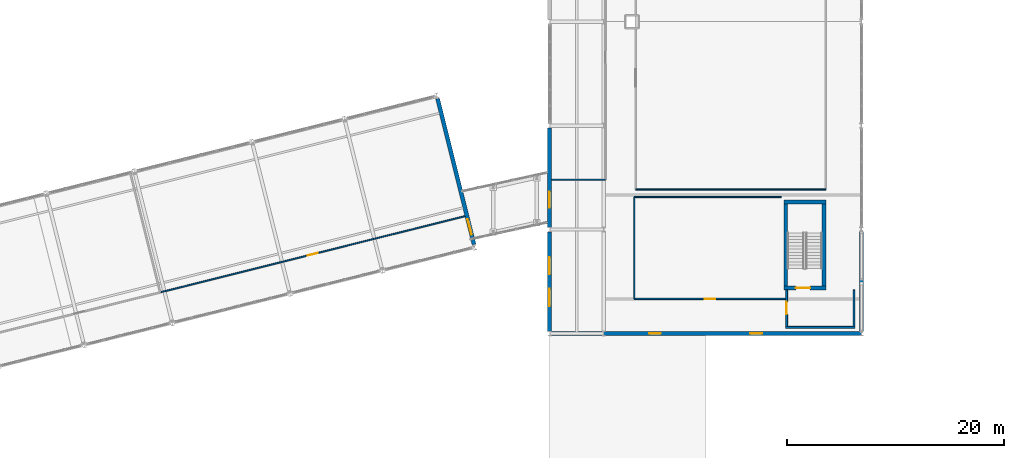
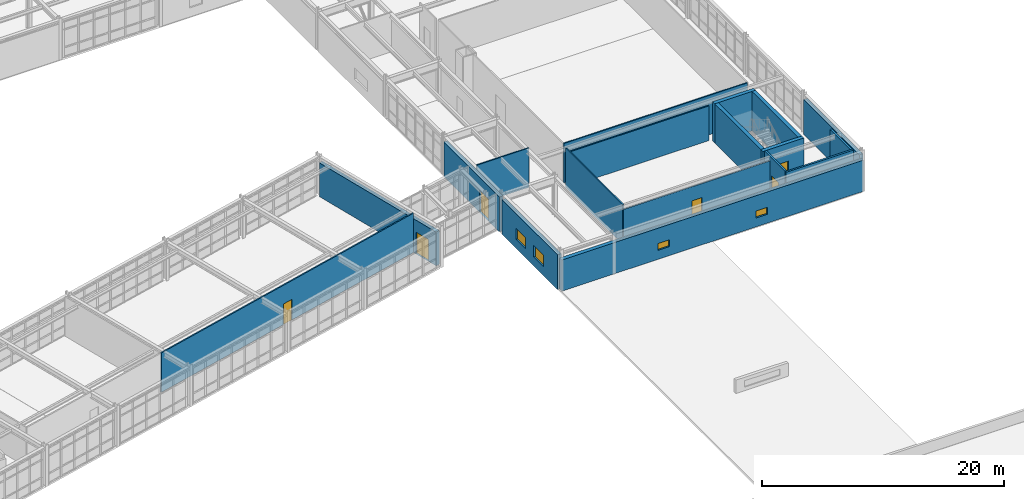
# One storey, part 72 of 88: 18 walls, 6 doors, 4 windows, 10 openings.
"""IFC4 building model written with IfcOpenShell, lengths in metres."""

from ifc_helpers import new_model, si_unit, direction, frame, frame_2d, origin, place, context, subcontext, project, spatial, rectangle, extrude, material, layer, layer_set, type_object, element, fill, save


model = new_model("IFC4")

# Units and contexts
model_context = context("Model", 3, precision=1e-05, world=origin(), true_north=direction((0.0, 1.0)))
body_context = subcontext(model_context, "Body", "Model", "MODEL_VIEW")
ifc_project = project(units=[si_unit("LENGTHUNIT", "METRE"), si_unit("AREAUNIT", "SQUARE_METRE"), si_unit("VOLUMEUNIT", "CUBIC_METRE"), si_unit("PLANEANGLEUNIT", "RADIAN"), si_unit("MASSUNIT", "GRAM", prefix="KILO")], contexts=[model_context])

# Site, building, storey
site_placement = place(None, origin())
site = spatial("IfcSite", under=ifc_project, at=site_placement, CompositionType="ELEMENT")
building_placement = place(site_placement, origin())
building = spatial("IfcBuilding", under=site, at=building_placement, Name="Nordkorset Police Headquarters", CompositionType="ELEMENT")
storey_placement = place(building_placement, frame((0.0, 0.0, 9.449951171875)))
storey = spatial("IfcBuildingStorey", under=building, at=storey_placement, Name="L02", CompositionType="ELEMENT", Elevation=9.449951171875)

# Wall
ifc_material_1 = material(Name="Gypsum board", Category="gypsum")
ifc_layer_1 = layer(ifc_material_1, 0.179931640625, Name="Gypsum board")
ifc_layer_set_1 = layer_set([ifc_layer_1], Name="Gypsum board")
wall_type_1 = type_object("IfcWallType", Name="Wall_Comp_180", PredefinedType="PARTITIONING", material=ifc_layer_set_1)
wall_1_placement = place(storey_placement, frame((108.199951171875, 48.56005859375, 0.0), z_axis=(0.0, 0.0, 1.0), x_axis=(1.0, 0.0, 0.0)))
element("IfcWall", 1, at=wall_1_placement, inside=storey, type_object=wall_type_1, Name="Firefighting Lobby EI 60 Wall K8 L02 S", PredefinedType="PARTITIONING", context=body_context, shape_type="SweptSolid", body=[
    extrude(rectangle(XDim=6.400146484375, YDim=0.179931640625, at=frame_2d((3.2001953125, 0.0))), origin(), (0.0, 0.0, 1.0), 3.969970703125),
])

# Wall, opening, door
wall_2_placement = place(storey_placement, frame((108.2900390625, 48.64990234375, 0.0), z_axis=(0.0, 0.0, 1.0), x_axis=(0.0, 1.0, 0.0)))
wall_2 = element("IfcWall", 2, at=wall_2_placement, inside=storey, type_object=wall_type_1, Name="Firefighting Lobby EI 60 Wall K8 L02 W", PredefinedType="PARTITIONING", context=body_context, shape_type="SweptSolid", body=[
    extrude(rectangle(XDim=3.375, YDim=0.179931640625, at=frame_2d((1.6875, 0.0))), origin(), (0.0, 0.0, 1.0), 3.969970703125),
])
opening_1_placement = place(wall_2_placement, frame((1.112548828125, 0.0, 0.0)))
opening_1 = element("IfcOpeningElement", 3, at=opening_1_placement, cuts=wall_2, Name="Opening DR-01", PredefinedType="OPENING", context=body_context, shape_type="SweptSolid", body=[
    extrude(rectangle(XDim=1.14990234375, YDim=2.14990234375, at=frame_2d((0.574951171875, 1.074951171875))), frame((0.0, 0.10009765625, 0.0), z_axis=(0.0, -1.0, 0.0), x_axis=(1.0, 0.0, 0.0)), (0.0, 0.0, 1.0), 0.199951171875),
])
ifc_material_2 = material(Name="Steel S355J2", Category="steel")
door_type_1 = type_object("IfcDoorType", Name="Door_LobbySingle_1150x2150", OperationType="NOTDEFINED", PredefinedType="DOOR", material=ifc_material_2)
door_1_placement = place(opening_1_placement, origin())
door_1 = element("IfcDoor", 4, at=door_1_placement, inside=storey, type_object=door_type_1, Name="Firefighting Lobby Smoke Door K8 L02 W", OperationType="SINGLE_SWING_RIGHT", OverallHeight=2.14990234375, OverallWidth=1.14990234375, PredefinedType="DOOR", context=body_context, shape_type="SweptSolid", body=[
    extrude(rectangle(XDim=1.14990234375, YDim=2.14990234375, at=frame_2d((0.574951171875, 1.074951171875))), frame((0.0, 0.02490234375, 0.0), z_axis=(0.0, -1.0, 0.0), x_axis=(1.0, 0.0, 0.0)), (0.0, 0.0, 1.0), 0.050048828125),
])
fill(opening_1, door_1)

# Wall
wall_3_placement = place(storey_placement, frame((114.510009765625, 48.64990234375, 0.0), z_axis=(0.0, 0.0, 1.0), x_axis=(0.0, 1.0, 0.0)))
element("IfcWall", 5, at=wall_3_placement, inside=storey, type_object=wall_type_1, Name="Firefighting Lobby EI 60 Wall K8 L02 E", PredefinedType="PARTITIONING", context=body_context, shape_type="SweptSolid", body=[
    extrude(rectangle(XDim=3.375, YDim=0.179931640625, at=frame_2d((1.6875, 0.0))), origin(), (0.0, 0.0, 1.0), 3.969970703125),
])

# Wall, opening, door
ifc_material_3 = material(Name="Concrete C35/45", Category="concrete")
ifc_layer_2 = layer(ifc_material_3, 0.35009765625, Name="Concrete C35/45")
ifc_layer_set_2 = layer_set([ifc_layer_2], Name="Concrete C35/45")
wall_type_2 = type_object("IfcWallType", Name="Wall_CoreShear_350", PredefinedType="SHEAR", material=ifc_layer_set_2)
wall_4_placement = place(storey_placement, frame((108.02490234375, 52.199951171875, 0.0), z_axis=(0.0, 0.0, 1.0), x_axis=(1.0, 0.0, 0.0)))
wall_4 = element("IfcWall", 6, at=wall_4_placement, inside=storey, type_object=wall_type_2, Name="Core K8 Stair Shaft South Shear Wall L02", PredefinedType="SHEAR", context=body_context, shape_type="SweptSolid", body=[
    extrude(rectangle(XDim=3.900146484375, YDim=0.35009765625, at=frame_2d((1.9501953125, 0.0))), origin(), (0.0, 0.0, 1.0), 3.969970703125),
])
opening_2_placement = place(wall_4_placement, frame((1.125, 0.0, 0.0)))
opening_2 = element("IfcOpeningElement", 7, at=opening_2_placement, cuts=wall_4, Name="Opening DR-20", PredefinedType="OPENING", context=body_context, shape_type="SweptSolid", body=[
    extrude(rectangle(XDim=1.300048828125, YDim=2.14990234375, at=frame_2d((0.64990234375, 1.074951171875))), frame((0.0, 0.18505859375, 0.0), z_axis=(0.0, -1.0, 0.0), x_axis=(1.0, 0.0, 0.0)), (0.0, 0.0, 1.0), 0.3701171875),
])
ifc_material_4 = material(Name="Steel S355J2", Category="steel")
door_type_2 = type_object("IfcDoorType", Name="Door_Stair_1300x2150", OperationType="NOTDEFINED", PredefinedType="DOOR", material=ifc_material_4)
door_2_placement = place(opening_2_placement, frame((1.300048828125, 0.0, 0.0), z_axis=(0.0, 0.0, 1.0), x_axis=(-1.0, 0.0, 0.0)))
door_2 = element("IfcDoor", 8, at=door_2_placement, inside=storey, type_object=door_type_2, Name="Protected Stair Fire Door ST-09 L02", OperationType="SINGLE_SWING_LEFT", OverallHeight=2.14990234375, OverallWidth=1.300048828125, PredefinedType="DOOR", context=body_context, shape_type="SweptSolid", body=[
    extrude(rectangle(XDim=1.300048828125, YDim=2.14990234375, at=frame_2d((0.64990234375, 1.074951171875))), frame((0.0, 0.02490234375, 0.0), z_axis=(0.0, -1.0, 0.0), x_axis=(1.0, 0.0, 0.0)), (0.0, 0.0, 1.0), 0.050048828125),
])
fill(opening_2, door_2)

# Walls
wall_5_placement = place(storey_placement, frame((108.02490234375, 60.14990234375, 0.0), z_axis=(0.0, 0.0, 1.0), x_axis=(1.0, 0.0, 0.0)))
element("IfcWall", 9, at=wall_5_placement, inside=storey, type_object=wall_type_2, Name="Core K8 Stair Shaft North Shear Wall L02", PredefinedType="SHEAR", context=body_context, shape_type="SweptSolid", body=[
    extrude(rectangle(XDim=3.900146484375, YDim=0.35009765625, at=frame_2d((1.9501953125, 0.0))), origin(), (0.0, 0.0, 1.0), 3.969970703125),
])
for number, where, z_axis, x_axis, name in (
    (10, (108.199951171875, 52.375, 0.0), (0.0, 0.0, 1.0), (0.0, 1.0, 0.0), "Core K8 Stair Shaft West Shear Wall L02"),
    (11, (111.75, 52.375, 0.0), (0.0, 0.0, 1.0), (0.0, 1.0, 0.0), "Core K8 Stair Shaft East Shear Wall L02"),
):
    element("IfcWall", number, at=place(storey_placement, frame(where, z_axis=z_axis, x_axis=x_axis)), inside=storey, type_object=wall_type_2, Name=name, PredefinedType="SHEAR", context=body_context, shape_type="SweptSolid", body=[
        extrude(rectangle(XDim=7.60009765625, YDim=0.35009765625, at=frame_2d((3.800048828125, 0.0))), origin(), (0.0, 0.0, 1.0), 3.969970703125),
    ])

# Wall, opening, door
ifc_material_5 = material(Name="Precast concrete C40/50", Category="concrete")
ifc_layer_3 = layer(ifc_material_5, 0.360107421875, Name="Precast concrete C40/50")
ifc_layer_set_3 = layer_set([ifc_layer_3], Name="Precast concrete C40/50")
wall_type_3 = type_object("IfcWallType", Name="Wall_ExtPrecast_360", PredefinedType="SOLIDWALL", material=ifc_layer_set_3)
wall_6_placement = place(storey_placement, frame((79.419189453125, 56.214599609375, 0.0), z_axis=(0.0, 0.0, 1.0), x_axis=(-0.242543892923, 0.970140433136, 0.0)))
wall_6 = element("IfcWall", 12, at=wall_6_placement, inside=storey, type_object=wall_type_3, Name="Exterior Insulated Precast Wall L02 V4E-0", PredefinedType="SOLIDWALL", context=body_context, shape_type="SweptSolid", body=[
    extrude(rectangle(XDim=13.89599609375, YDim=0.360107421875, at=frame_2d((6.947998046875, 0.0))), origin(), (0.0, 0.0, 1.0), 3.405029296875),
])
opening_3_placement = place(wall_6_placement, frame((0.91796875, 0.0, 0.0)))
opening_3 = element("IfcOpeningElement", 13, at=opening_3_placement, cuts=wall_6, Name="Opening EXD-03", PredefinedType="OPENING", context=body_context, shape_type="SweptSolid", body=[
    extrude(rectangle(XDim=1.5, YDim=2.199951171875, at=frame_2d((0.75, 1.10009765625))), frame((0.0, 0.18994140625, 0.0), z_axis=(0.0, -1.0, 0.0), x_axis=(1.0, 0.0, 0.0)), (0.0, 0.0, 1.0), 0.380126953125),
])
ifc_material_6 = material(Name="Aluminium alloy AW-6060", Category="aluminium")
door_type_3 = type_object("IfcDoorType", Name="ExtDoor_BridgePortal_1500x2200", OperationType="DOUBLE_DOOR_SINGLE_SWING", PredefinedType="DOOR", material=ifc_material_6)
door_3_placement = place(opening_3_placement, frame((1.5, 0.0, 0.0), z_axis=(0.0, 0.0, 1.0), x_axis=(-1.0, 0.0, 0.0)))
door_3 = element("IfcDoor", 14, at=door_3_placement, inside=storey, type_object=door_type_3, Name="East Link Bridge Portal Door V4 L02", OperationType="SINGLE_SWING_LEFT", OverallHeight=2.199951171875, OverallWidth=1.5, PredefinedType="DOOR", context=body_context, shape_type="SweptSolid", body=[
    extrude(rectangle(XDim=1.5, YDim=2.199951171875, at=frame_2d((0.75, 1.10009765625))), frame((0.0, 0.02490234375, 0.0), z_axis=(0.0, -1.0, 0.0), x_axis=(1.0, 0.0, 0.0)), (0.0, 0.0, 1.0), 0.050048828125),
])
fill(opening_3, door_3)

# Wall
wall_7_placement = place(storey_placement, frame((115.199951171875, 48.201904296875, 0.0), z_axis=(0.0, 0.0, 1.0), x_axis=(0.0, 1.0, 0.0)))
element("IfcWall", 15, at=wall_7_placement, inside=storey, type_object=wall_type_3, Name="Exterior Insulated Precast Wall L02 V5E-0", PredefinedType="SOLIDWALL", context=body_context, shape_type="SweptSolid", body=[
    extrude(rectangle(XDim=9.196044921875, YDim=0.360107421875, at=frame_2d((4.59814453125, 0.0))), origin(), (0.0, 0.0, 1.0), 3.510009765625),
])

# Wall, openings, windows
wall_8_placement = place(storey_placement, frame((86.39990234375, 48.201904296875, 0.0), z_axis=(0.0, 0.0, 1.0), x_axis=(0.0, 1.0, 0.0)))
wall_8 = element("IfcWall", 16, at=wall_8_placement, inside=storey, type_object=wall_type_3, Name="Exterior Insulated Precast Wall L02 V5W-0", PredefinedType="SOLIDWALL", context=body_context, shape_type="SweptSolid", body=[
    extrude(rectangle(XDim=9.196044921875, YDim=0.360107421875, at=frame_2d((4.59814453125, 0.0))), origin(), (0.0, 0.0, 1.0), 3.505126953125),
])
opening_4_placement = place(wall_8_placement, frame((2.331298828125, 0.0, 0.89990234375)))
opening_4 = element("IfcOpeningElement", 17, at=opening_4_placement, cuts=wall_8, Name="Opening WN-17", PredefinedType="OPENING", context=body_context, shape_type="SweptSolid", body=[
    extrude(rectangle(XDim=1.60009765625, YDim=1.14990234375, at=frame_2d((0.800048828125, 0.574951171875))), frame((0.0, 0.18994140625, 0.0), z_axis=(0.0, -1.0, 0.0), x_axis=(1.0, 0.0, 0.0)), (0.0, 0.0, 1.0), 0.380126953125),
])
opening_5_placement = place(wall_8_placement, frame((5.2646484375, 0.0, 0.89990234375)))
opening_5 = element("IfcOpeningElement", 18, at=opening_5_placement, cuts=wall_8, Name="Opening WN-17", PredefinedType="OPENING", context=body_context, shape_type="SweptSolid", body=[
    extrude(rectangle(XDim=1.60009765625, YDim=1.14990234375, at=frame_2d((0.800048828125, 0.574951171875))), frame((0.0, 0.18994140625, 0.0), z_axis=(0.0, -1.0, 0.0), x_axis=(1.0, 0.0, 0.0)), (0.0, 0.0, 1.0), 0.380126953125),
])
ifc_material_7 = material(Name="Low-iron triple glazing", Category="glass")
window_type_1 = type_object("IfcWindowType", Name="Win_1600x1150", PartitioningType="SINGLE_PANEL", PredefinedType="WINDOW", material=ifc_material_7)
window_1_placement = place(opening_4_placement, origin())
window_1 = element("IfcWindow", 19, at=window_1_placement, inside=storey, type_object=window_type_1, Name="Triple-Glazed Exterior Window L02 V5W-0-1", OverallHeight=1.14990234375, OverallWidth=1.60009765625, PartitioningType="SINGLE_PANEL", PredefinedType="WINDOW", context=body_context, shape_type="SweptSolid", body=[
    extrude(rectangle(XDim=1.60009765625, YDim=1.14990234375, at=frame_2d((0.800048828125, 0.574951171875))), frame((0.0, 0.030029296875, 0.0), z_axis=(0.0, -1.0, 0.0), x_axis=(1.0, 0.0, 0.0)), (0.0, 0.0, 1.0), 0.06005859375),
])
fill(opening_4, window_1)
window_2_placement = place(opening_5_placement, origin())
window_2 = element("IfcWindow", 20, at=window_2_placement, inside=storey, type_object=window_type_1, Name="Triple-Glazed Exterior Window L02 V5W-0-2", OverallHeight=1.14990234375, OverallWidth=1.60009765625, PartitioningType="SINGLE_PANEL", PredefinedType="WINDOW", context=body_context, shape_type="SweptSolid", body=[
    extrude(rectangle(XDim=1.60009765625, YDim=1.14990234375, at=frame_2d((0.800048828125, 0.574951171875))), frame((0.0, 0.030029296875, 0.0), z_axis=(0.0, -1.0, 0.0), x_axis=(1.0, 0.0, 0.0)), (0.0, 0.0, 1.0), 0.06005859375),
])
fill(opening_5, window_2)

# Wall, opening, door
wall_9_placement = place(storey_placement, frame((86.39990234375, 57.802001953125, 0.0), z_axis=(0.0, 0.0, 1.0), x_axis=(0.0, 1.0, 0.0)))
wall_9 = element("IfcWall", 21, at=wall_9_placement, inside=storey, type_object=wall_type_3, Name="Exterior Insulated Precast Wall L02 V5W-1", PredefinedType="SOLIDWALL", context=body_context, shape_type="SweptSolid", body=[
    extrude(rectangle(XDim=9.196044921875, YDim=0.360107421875, at=frame_2d((4.59814453125, 0.0))), origin(), (0.0, 0.0, 1.0), 3.505126953125),
])
opening_6_placement = place(wall_9_placement, frame((1.798095703125, 0.0, 0.0)))
opening_6 = element("IfcOpeningElement", 22, at=opening_6_placement, cuts=wall_9, Name="Opening EXD-03", PredefinedType="OPENING", context=body_context, shape_type="SweptSolid", body=[
    extrude(rectangle(XDim=1.5, YDim=2.199951171875, at=frame_2d((0.75, 1.10009765625))), frame((0.0, 0.18994140625, 0.0), z_axis=(0.0, -1.0, 0.0), x_axis=(1.0, 0.0, 0.0)), (0.0, 0.0, 1.0), 0.380126953125),
])
door_4_placement = place(opening_6_placement, origin())
door_4 = element("IfcDoor", 23, at=door_4_placement, inside=storey, type_object=door_type_3, Name="East Link Bridge Portal Door V5 L02", OperationType="SINGLE_SWING_LEFT", OverallHeight=2.199951171875, OverallWidth=1.5, PredefinedType="DOOR", context=body_context, shape_type="SweptSolid", body=[
    extrude(rectangle(XDim=1.5, YDim=2.199951171875, at=frame_2d((0.75, 1.10009765625))), frame((0.0, 0.02490234375, 0.0), z_axis=(0.0, -1.0, 0.0), x_axis=(1.0, 0.0, 0.0)), (0.0, 0.0, 1.0), 0.050048828125),
])
fill(opening_6, door_4)

# Wall, openings, windows
wall_10_placement = place(storey_placement, frame((86.40869140625, 48.0, 0.0), z_axis=(0.0, 0.0, 1.0), x_axis=(1.0, 0.0, 0.0)))
wall_10 = element("IfcWall", 24, at=wall_10_placement, inside=storey, type_object=wall_type_3, Name="Exterior Insulated Precast Wall L02 V5S-0", PredefinedType="SOLIDWALL", context=body_context, shape_type="SweptSolid", body=[
    extrude(rectangle(XDim=28.782470703125, YDim=0.360107421875, at=frame_2d((14.39111328125, 0.0))), origin(), (0.0, 0.0, 1.0), 3.14501953125),
])
opening_7_placement = place(wall_10_placement, frame((9.174560546875, 0.0, 0.89990234375)))
opening_7 = element("IfcOpeningElement", 25, at=opening_7_placement, cuts=wall_10, Name="Opening WN-11", PredefinedType="OPENING", context=body_context, shape_type="SweptSolid", body=[
    extrude(rectangle(XDim=1.10009765625, YDim=0.699951171875, at=frame_2d((0.550048828125, 0.35009765625))), frame((0.0, 0.18994140625, 0.0), z_axis=(0.0, -1.0, 0.0), x_axis=(1.0, 0.0, 0.0)), (0.0, 0.0, 1.0), 0.380126953125),
])
opening_8_placement = place(wall_10_placement, frame((18.508056640625, 0.0, 0.89990234375)))
opening_8 = element("IfcOpeningElement", 26, at=opening_8_placement, cuts=wall_10, Name="Opening WN-11", PredefinedType="OPENING", context=body_context, shape_type="SweptSolid", body=[
    extrude(rectangle(XDim=1.10009765625, YDim=0.699951171875, at=frame_2d((0.550048828125, 0.35009765625))), frame((0.0, 0.18994140625, 0.0), z_axis=(0.0, -1.0, 0.0), x_axis=(1.0, 0.0, 0.0)), (0.0, 0.0, 1.0), 0.380126953125),
])
ifc_material_8 = material(Name="Low-iron triple glazing", Category="glass")
window_type_2 = type_object("IfcWindowType", Name="Win_1100x700", PartitioningType="SINGLE_PANEL", PredefinedType="WINDOW", material=ifc_material_8)
window_3_placement = place(opening_7_placement, origin())
window_3 = element("IfcWindow", 27, at=window_3_placement, inside=storey, type_object=window_type_2, Name="Triple-Glazed Exterior Window L02 V5S-0-1", OverallHeight=0.699951171875, OverallWidth=1.10009765625, PartitioningType="SINGLE_PANEL", PredefinedType="WINDOW", context=body_context, shape_type="SweptSolid", body=[
    extrude(rectangle(XDim=1.10009765625, YDim=0.699951171875, at=frame_2d((0.550048828125, 0.35009765625))), frame((0.0, 0.030029296875, 0.0), z_axis=(0.0, -1.0, 0.0), x_axis=(1.0, 0.0, 0.0)), (0.0, 0.0, 1.0), 0.06005859375),
])
fill(opening_7, window_3)
window_4_placement = place(opening_8_placement, origin())
window_4 = element("IfcWindow", 28, at=window_4_placement, inside=storey, type_object=window_type_2, Name="Triple-Glazed Exterior Window L02 V5S-0-2", OverallHeight=0.699951171875, OverallWidth=1.10009765625, PartitioningType="SINGLE_PANEL", PredefinedType="WINDOW", context=body_context, shape_type="SweptSolid", body=[
    extrude(rectangle(XDim=1.10009765625, YDim=0.699951171875, at=frame_2d((0.550048828125, 0.35009765625))), frame((0.0, 0.030029296875, 0.0), z_axis=(0.0, -1.0, 0.0), x_axis=(1.0, 0.0, 0.0)), (0.0, 0.0, 1.0), 0.06005859375),
])
fill(opening_8, window_4)

# Wall, opening, door
ifc_material_9 = material(Name="Gypsum board", Category="gypsum")
ifc_layer_4 = layer(ifc_material_9, 0.1201171875, Name="Gypsum board")
ifc_layer_set_4 = layer_set([ifc_layer_4], Name="Gypsum board")
wall_type_4 = type_object("IfcWallType", Name="Wall_Part_120", PredefinedType="PARTITIONING", material=ifc_layer_set_4)
wall_11_placement = place(storey_placement, frame((50.477783203125, 51.811767578125, 0.0), z_axis=(0.0, 0.0, 1.0), x_axis=(0.970141508682, 0.242539590854, 0.0)))
wall_11 = element("IfcWall", 29, at=wall_11_placement, inside=storey, type_object=wall_type_4, Name="Interior Partition Wall Staff Welfare Lounge", PredefinedType="PARTITIONING", context=body_context, shape_type="SweptSolid", body=[
    extrude(rectangle(XDim=28.969970703125, YDim=0.1201171875, at=frame_2d((14.48486328125, 0.0))), origin(), (0.0, 0.0, 1.0), 3.969970703125),
])
opening_9_placement = place(wall_11_placement, frame((14.0048828125, 0.0, 0.0)))
opening_9 = element("IfcOpeningElement", 30, at=opening_9_placement, cuts=wall_11, Name="Opening DR-08", PredefinedType="OPENING", context=body_context, shape_type="SweptSolid", body=[
    extrude(rectangle(XDim=0.9599609375, YDim=2.080078125, at=frame_2d((0.47998046875, 1.0400390625))), frame((0.0, 0.070068359375, 0.0), z_axis=(0.0, -1.0, 0.0), x_axis=(1.0, 0.0, 0.0)), (0.0, 0.0, 1.0), 0.14013671875),
])
ifc_material_10 = material(Name="Glulam GL30c", Category="wood")
door_type_4 = type_object("IfcDoorType", Name="Door_Welfare_960x2080", OperationType="NOTDEFINED", PredefinedType="DOOR", material=ifc_material_10)
door_5_placement = place(opening_9_placement, origin())
door_5 = element("IfcDoor", 31, at=door_5_placement, inside=storey, type_object=door_type_4, Name="Interior Door Staff Welfare Lounge", OperationType="SINGLE_SWING_LEFT", OverallHeight=2.080078125, OverallWidth=0.9599609375, PredefinedType="DOOR", context=body_context, shape_type="SweptSolid", body=[
    extrude(rectangle(XDim=0.9599609375, YDim=2.080078125, at=frame_2d((0.47998046875, 1.0400390625))), frame((0.0, 0.02490234375, 0.0), z_axis=(0.0, -1.0, 0.0), x_axis=(1.0, 0.0, 0.0)), (0.0, 0.0, 1.0), 0.050048828125),
])
fill(opening_9, door_5)

# Walls
wall_12_placement = place(storey_placement, frame((86.574951171875, 62.199951171875, 0.0), z_axis=(0.0, 0.0, 1.0), x_axis=(1.0, 0.0, 0.0)))
element("IfcWall", 32, at=wall_12_placement, inside=storey, type_object=wall_type_4, Name="Interior Partition Wall Physical Readiness Assessment Suite", PredefinedType="PARTITIONING", context=body_context, shape_type="SweptSolid", body=[
    extrude(rectangle(XDim=4.97509765625, YDim=0.1201171875, at=frame_2d((2.487548828125, 0.0))), origin(), (0.0, 0.0, 1.0), 3.969970703125),
])
wall_13_placement = place(storey_placement, frame((94.35009765625, 61.300048828125, 0.0), z_axis=(0.0, 0.0, 1.0), x_axis=(1.0, 0.0, 0.0)))
element("IfcWall", 33, at=wall_13_placement, inside=storey, type_object=wall_type_4, Name="Interior Partition Wall Gymnasium", PredefinedType="PARTITIONING", context=body_context, shape_type="SweptSolid", body=[
    extrude(rectangle(XDim=17.5498046875, YDim=0.1201171875, at=frame_2d((8.77490234375, 0.0))), origin(), (0.0, 0.0, 1.0), 3.969970703125),
])

# Wall, opening, door
wall_14_placement = place(storey_placement, frame((94.219970703125, 51.199951171875, 0.0), z_axis=(0.0, 0.0, 1.0), x_axis=(1.0, 0.0, 0.0)))
wall_14 = element("IfcWall", 34, at=wall_14_placement, inside=storey, type_object=wall_type_4, Name="Interior Partition Wall Locker and Changing Room", PredefinedType="PARTITIONING", context=body_context, shape_type="SweptSolid", body=[
    extrude(rectangle(XDim=13.985107421875, YDim=0.1201171875, at=frame_2d((6.99267578125, 0.0))), origin(), (0.0, 0.0, 1.0), 3.5),
])
opening_10_placement = place(wall_14_placement, frame((6.512451171875, 0.0, 0.0)))
opening_10 = element("IfcOpeningElement", 35, at=opening_10_placement, cuts=wall_14, Name="Opening DR-08", PredefinedType="OPENING", context=body_context, shape_type="SweptSolid", body=[
    extrude(rectangle(XDim=0.9599609375, YDim=2.080078125, at=frame_2d((0.47998046875, 1.0400390625))), frame((0.0, 0.070068359375, 0.0), z_axis=(0.0, -1.0, 0.0), x_axis=(1.0, 0.0, 0.0)), (0.0, 0.0, 1.0), 0.14013671875),
])
door_6_placement = place(opening_10_placement, origin())
door_6 = element("IfcDoor", 36, at=door_6_placement, inside=storey, type_object=door_type_4, Name="Interior Door Locker and Changing Room", OperationType="SINGLE_SWING_RIGHT", OverallHeight=2.080078125, OverallWidth=0.9599609375, PredefinedType="DOOR", context=body_context, shape_type="SweptSolid", body=[
    extrude(rectangle(XDim=0.9599609375, YDim=2.080078125, at=frame_2d((0.47998046875, 1.0400390625))), frame((0.0, 0.02490234375, 0.0), z_axis=(0.0, -1.0, 0.0), x_axis=(1.0, 0.0, 0.0)), (0.0, 0.0, 1.0), 0.050048828125),
])
fill(opening_10, door_6)

# Walls
wall_15_placement = place(storey_placement, frame((107.800048828125, 60.60009765625, 0.0), z_axis=(0.0, 0.0, 1.0), x_axis=(-1.0, 0.0, 0.0)))
element("IfcWall", 37, at=wall_15_placement, inside=storey, type_object=wall_type_4, Name="Interior Partition Wall Locker and Changing Room", PredefinedType="PARTITIONING", context=body_context, shape_type="SweptSolid", body=[
    extrude(rectangle(XDim=13.580078125, YDim=0.1201171875, at=frame_2d((6.7900390625, 0.0))), origin(), (0.0, 0.0, 1.0), 3.5),
])
wall_16_placement = place(storey_placement, frame((94.219970703125, 60.60009765625, 0.0), z_axis=(0.0, 0.0, 1.0), x_axis=(0.0, -1.0, 0.0)))
element("IfcWall", 38, at=wall_16_placement, inside=storey, type_object=wall_type_4, Name="Interior Partition Wall Locker and Changing Room", PredefinedType="PARTITIONING", context=body_context, shape_type="SweptSolid", body=[
    extrude(rectangle(XDim=9.400146484375, YDim=0.1201171875, at=frame_2d((4.7001953125, 0.0))), origin(), (0.0, 0.0, 1.0), 3.969970703125),
])

save(model, "model.ifc")
